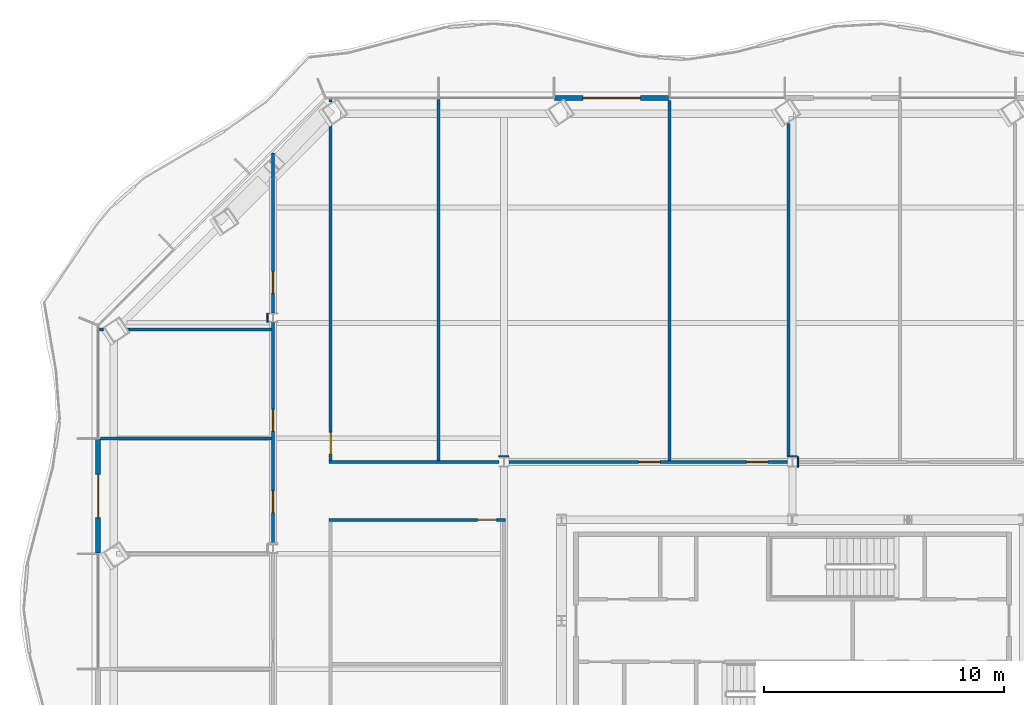
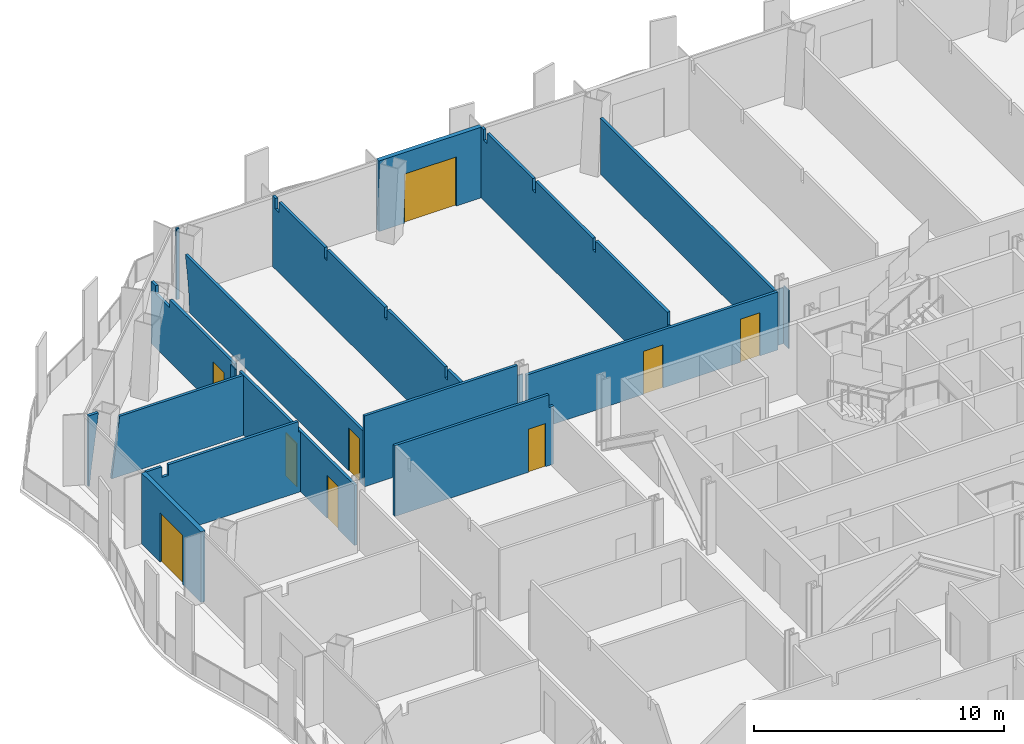
# One storey, part 12 of 22: 19 walls, 9 doors, 9 openings.
"""IFC4 building model written with IfcOpenShell, lengths in metres."""

import ifcopenshell
import ifcopenshell.guid

model = None  # the IFC model being written
_history = None  # IfcOwnerHistory: only IFC2X3 demands one
_inside = {}  # id of a spatial element -> (the spatial element, [elements in it])
_under = {}  # id of a project, library or spatial element -> (it, [spatial elements below it])
_declared = {}  # id of a project -> (the project, [libraries it declares])
_typed = {}  # id of a type object -> (the type object, [elements of that type])
_made_of = {}  # id of a material, layer set ... -> (it, [elements and type objects made of it])


def new_model(schema):
    """Start an empty IFC model of exactly this schema.

    Asked for "IFC4X3", IfcOpenShell would pick the latest addendum, in which some entities
    have other attributes; the version numbers below select the first issue.
    IFC2X3 requires an IfcOwnerHistory on every rooted entity: one is made here for all.
    """
    global model, _history
    if schema == "IFC4X3":
        model = ifcopenshell.file(schema_version=(4, 3, 0, 0))
    else:
        model = ifcopenshell.file(schema=schema)
    _inside.clear()
    _under.clear()
    _declared.clear()
    _typed.clear()
    _made_of.clear()
    _history = None
    if model.schema == "IFC2X3":
        org = make("IfcOrganization", Name="unknown")
        user = make(
            "IfcPersonAndOrganization",
            ThePerson=make("IfcPerson", FamilyName="unknown"),
            TheOrganization=org,
        )
        app = make(
            "IfcApplication",
            ApplicationDeveloper=org,
            Version="unknown",
            ApplicationFullName="unknown",
            ApplicationIdentifier="unknown",
        )
        _history = make(
            "IfcOwnerHistory",
            OwningUser=user,
            OwningApplication=app,
            ChangeAction="ADDED",
            CreationDate=0,
        )
    return model


def make(cls, **values):
    """One entity of the class cls with the attributes given. An attribute that is None is left unset."""
    return model.create_entity(
        cls, **{name: value for name, value in values.items() if value is not None}
    )


def rooted(cls, **values):
    """An entity with a GlobalId (a new one), such as an element, a storey or a relation."""
    return make(cls, GlobalId=ifcopenshell.guid.new(), OwnerHistory=_history, **values)


def si_unit(unit_type, name, prefix=None):
    """IfcSIUnit, for example si_unit("LENGTHUNIT", "METRE", prefix="MILLI")."""
    return make("IfcSIUnit", UnitType=unit_type, Prefix=prefix, Name=name)


def assignment(units):
    """IfcUnitAssignment: the units of a project."""
    return None if units is None else make("IfcUnitAssignment", Units=units)


def point(xyz):
    """IfcCartesianPoint."""
    return None if xyz is None else make("IfcCartesianPoint", Coordinates=xyz)


def direction(xyz):
    """IfcDirection."""
    return None if xyz is None else make("IfcDirection", DirectionRatios=xyz)


def frame(location, z_axis=None, x_axis=None):
    """IfcAxis2Placement3D, a coordinate frame: its origin and axes. An axis left out is left unset."""
    return make(
        "IfcAxis2Placement3D",
        Location=point(location),
        Axis=direction(z_axis),
        RefDirection=direction(x_axis),
    )


def frame_2d(location, x_axis=None):
    """IfcAxis2Placement2D, a coordinate frame in the plane: its origin and x axis."""
    return make(
        "IfcAxis2Placement2D", Location=point(location), RefDirection=direction(x_axis)
    )


def origin():
    """The frame at (0, 0, 0) with its axes left unset."""
    return frame((0.0, 0.0, 0.0))


def place(relative_to, where):
    """IfcLocalPlacement: puts the frame where relative to a parent placement (None: the world)."""
    return make(
        "IfcLocalPlacement", PlacementRelTo=relative_to, RelativePlacement=where
    )


def context(
    kind, dimensions, precision=None, world=None, true_north=None, identifier=None
):
    """IfcGeometricRepresentationContext, for example the 3D "Model" context."""
    return make(
        "IfcGeometricRepresentationContext",
        ContextIdentifier=identifier,
        ContextType=kind,
        CoordinateSpaceDimension=dimensions,
        Precision=precision,
        WorldCoordinateSystem=world,
        TrueNorth=true_north,
    )


def subcontext(parent, identifier, kind, view, scale=None):
    """IfcGeometricRepresentationSubContext, for example "Body" below "Model"."""
    return make(
        "IfcGeometricRepresentationSubContext",
        ContextIdentifier=identifier,
        ContextType=kind,
        ParentContext=parent,
        TargetScale=scale,
        TargetView=view,
    )


def project(units=None, contexts=None):
    """IfcProject with its units and contexts."""
    return rooted(
        "IfcProject",
        Name="project",
        RepresentationContexts=contexts,
        UnitsInContext=assignment(units),
    )


def spatial(cls, under=None, at=None, **own):
    """A site, building, storey or space (cls), placed at a placement, below another one or the project."""
    s = rooted(cls, ObjectPlacement=at, **own)
    if under is not None:
        _under.setdefault(under.id(), (under, []))[1].append(s)
    return s


def polyline(points):
    """IfcPolyline through the points."""
    return make("IfcPolyline", Points=[point(p) for p in points])


def profile(cls, at=None, kind="AREA", **sizes):
    """A parametric profile (cls). Its sizes go by their IFC names, for example OverallWidth=200.0."""
    return make(cls, ProfileType=kind, Position=at, **sizes)


def rectangle(**sizes):
    """IfcRectangleProfileDef."""
    return profile("IfcRectangleProfileDef", **sizes)


def outline(outer, holes=None, kind="AREA"):
    """IfcArbitraryClosedProfileDef: a profile drawn as a closed curve; with holes, ...WithVoids."""
    if holes is None:
        return make("IfcArbitraryClosedProfileDef", ProfileType=kind, OuterCurve=outer)
    return make(
        "IfcArbitraryProfileDefWithVoids",
        ProfileType=kind,
        OuterCurve=outer,
        InnerCurves=holes,
    )


def extrude(swept, where, along, depth):
    """IfcExtrudedAreaSolid: the profile swept, set in the frame where, extruded along a direction by depth."""
    return make(
        "IfcExtrudedAreaSolid",
        SweptArea=swept,
        Position=where,
        ExtrudedDirection=direction(along),
        Depth=depth,
    )


def shape(context_of_items, identifier, shape_type, items):
    """IfcShapeRepresentation: the items that make up one representation, for example the "Body"."""
    return make(
        "IfcShapeRepresentation",
        ContextOfItems=context_of_items,
        RepresentationIdentifier=identifier,
        RepresentationType=shape_type,
        Items=items,
    )


def material(Name=None, Category=None):
    """IfcMaterial."""
    return make("IfcMaterial", Name=Name, Category=Category)


def layer(
    of_material, thickness, ventilated=None, Name=None, Category=None, Priority=None
):
    """IfcMaterialLayer: one layer of a wall or slab, of a material (None: an air gap)."""
    return make(
        "IfcMaterialLayer",
        Material=of_material,
        LayerThickness=thickness,
        IsVentilated=ventilated,
        Name=Name,
        Category=Category,
        Priority=Priority,
    )


def layer_set(layers, Name=None):
    """IfcMaterialLayerSet."""
    return make("IfcMaterialLayerSet", MaterialLayers=layers, LayerSetName=Name)


def made_of(thing, what):
    """Note that an element or type object is made of a material, layer set ...; save() writes the relation."""
    if what is not None:
        _made_of.setdefault(what.id(), (what, []))[1].append(thing)
    return thing


def type_object(cls, material=None, **own):
    """A type object (cls), such as IfcWallType, which elements share."""
    return made_of(rooted(cls, **own), material)


def element(
    cls,
    number,
    at=None,
    inside=None,
    cuts=None,
    type_object=None,
    material=None,
    context=None,
    identifier="Body",
    shape_type=None,
    held_by="IfcProductDefinitionShape",
    body=None,
    shapes=None,
    **own,
):
    """One element of the class cls, such as IfcWall. Its Tag is "e" and its number.

    at: its placement. inside: the storey or other place that contains it. cuts: it is an
    opening in that element (IfcRelVoidsElement). A single representation is given by context,
    identifier, shape_type and body (its items); several are given by shapes. held_by: the class
    of the entity that holds the representations. save() writes the other relations.
    """
    e = rooted(cls, Tag="e%d" % number, ObjectPlacement=at, **own)
    if body is not None:
        shapes = [shape(context, identifier, shape_type, body)]
    if shapes is not None:
        e.Representation = make(held_by, Representations=shapes)
    if inside is not None:
        _inside.setdefault(inside.id(), (inside, []))[1].append(e)
    if cuts is not None:
        rooted(
            "IfcRelVoidsElement", RelatingBuildingElement=cuts, RelatedOpeningElement=e
        )
    if type_object is not None:
        _typed.setdefault(type_object.id(), (type_object, []))[1].append(e)
    return made_of(e, material)


def fill(opening, filler):
    """IfcRelFillsElement: the door or window that sits in an opening."""
    return rooted(
        "IfcRelFillsElement",
        RelatingOpeningElement=opening,
        RelatedBuildingElement=filler,
    )


def aggregate(whole, parts):
    """IfcRelAggregates: a whole, such as a stair, and the parts it consists of."""
    return rooted("IfcRelAggregates", RelatingObject=whole, RelatedObjects=parts)


def save(model, path):
    """Write the relations noted so far, then the file.

    IfcRelAggregates (storeys below a building ...), IfcRelContainedInSpatialStructure (elements
    in a storey), IfcRelDefinesByType, IfcRelAssociatesMaterial and IfcRelDeclares: one each for
    every whole, place, type object, material and project.
    """
    for whole, parts in _under.values():
        aggregate(whole, parts)
    for where, things in _inside.values():
        rooted(
            "IfcRelContainedInSpatialStructure",
            RelatedElements=things,
            RelatingStructure=where,
        )
    for kind, things in _typed.values():
        rooted("IfcRelDefinesByType", RelatedObjects=things, RelatingType=kind)
    for what, things in _made_of.values():
        rooted("IfcRelAssociatesMaterial", RelatedObjects=things, RelatingMaterial=what)
    for by, libraries in _declared.values():
        rooted("IfcRelDeclares", RelatingContext=by, RelatedDefinitions=libraries)
    model.write(path)


model = new_model("IFC4")

# Units and contexts
model_context = context("Model", 3, precision=1e-05, world=origin(), true_north=direction((0.0, 1.0)))
body_context = subcontext(model_context, "Body", "Model", "MODEL_VIEW")
ifc_project = project(units=[si_unit("LENGTHUNIT", "METRE"), si_unit("AREAUNIT", "SQUARE_METRE"), si_unit("VOLUMEUNIT", "CUBIC_METRE"), si_unit("PLANEANGLEUNIT", "RADIAN"), si_unit("MASSUNIT", "GRAM", prefix="KILO")], contexts=[model_context])

# Site, building, storey
site_placement = place(None, origin())
site = spatial("IfcSite", under=ifc_project, at=site_placement, CompositionType="ELEMENT")
building_placement = place(site_placement, origin())
building = spatial("IfcBuilding", under=site, at=building_placement, Name="Cairn Pilgrim Tower", CompositionType="ELEMENT")
storey_placement = place(building_placement, frame((0.0, 0.0, 112.199951171875)))
storey = spatial("IfcBuildingStorey", under=building, at=storey_placement, Name="L27", CompositionType="ELEMENT", Elevation=112.199951171875)

# Wall, opening, door
ifc_material_1 = material(Name="Bronze anodised aluminium insulated sandwich panel with mineral wool fill", Category="aluminium")
ifc_layer_1 = layer(ifc_material_1, 0.199951171875)
ifc_layer_set_1 = layer_set([ifc_layer_1], Name="BRONZE INFILL FRAME WALL 200")
wall_type_1 = type_object("IfcWallType", Name="BRONZE INFILL FRAME WALL 200", PredefinedType="NOTDEFINED", material=ifc_layer_set_1)
wall_1_placement = place(storey_placement, frame((2.049560546875, 28.33642578125, 0.0), z_axis=(0.0, 0.0, 1.0), x_axis=(-1.0, 0.0, 0.0)))
wall_1 = element("IfcWall", 1, at=wall_1_placement, inside=storey, type_object=wall_type_1, Name="Bronze infill frame wall IW-N6", PredefinedType="NOTDEFINED", context=body_context, shape_type="SweptSolid", body=[
    extrude(rectangle(XDim=4.739990234375, YDim=0.199951171875, at=frame_2d((2.3701171875, 0.0))), origin(), (0.0, 0.0, 1.0), 3.449951171875),
])
opening_1_placement = place(wall_1_placement, frame((1.16943359375, 0.0, 0.0)))
opening_1 = element("IfcOpeningElement", 2, at=opening_1_placement, cuts=wall_1, Name="Opening 2718B", PredefinedType="OPENING", context=body_context, shape_type="SweptSolid", body=[
    extrude(rectangle(XDim=2.39990234375, YDim=2.39990234375, at=frame_2d((1.199951171875, 1.199951171875))), frame((0.0, 0.10986328125, 0.0), z_axis=(0.0, -1.0, 0.0), x_axis=(1.0, 0.0, 0.0)), (0.0, 0.0, 1.0), 0.219970703125),
])
ifc_material_2 = material(Name="Bronze anodised aluminium frame with tinted low-E glass", Category="aluminium")
door_type_1 = type_object("IfcDoorType", Name="BALCONY SLIDING DOOR 2400x2400", OperationType="DOUBLE_DOOR_SLIDING", PredefinedType="DOOR", material=ifc_material_2)
door_1_placement = place(opening_1_placement, origin())
door_1 = element("IfcDoor", 3, at=door_1_placement, inside=storey, type_object=door_type_1, Name="Balcony sliding door 2718B", OperationType="SINGLE_SWING_LEFT", OverallHeight=2.39990234375, OverallWidth=2.39990234375, PredefinedType="DOOR", context=body_context, shape_type="SweptSolid", body=[
    extrude(rectangle(XDim=2.39990234375, YDim=2.39990234375, at=frame_2d((1.199951171875, 1.199951171875))), frame((0.0, 0.02490234375, 0.0), z_axis=(0.0, -1.0, 0.0), x_axis=(1.0, 0.0, 0.0)), (0.0, 0.0, 1.0), 0.050048828125),
])
fill(opening_1, door_1)

wall_2_placement = place(storey_placement, frame((-21.67041015625, 14.15625, 0.0), z_axis=(0.0, 0.0, 1.0), x_axis=(0.0, -1.0, 0.0)))
wall_2 = element("IfcWall", 4, at=wall_2_placement, inside=storey, type_object=wall_type_1, Name="Bronze infill frame wall IW-W2", PredefinedType="NOTDEFINED", context=body_context, shape_type="SweptSolid", body=[
    extrude(rectangle(XDim=4.739990234375, YDim=0.199951171875, at=frame_2d((2.3701171875, 0.0))), origin(), (0.0, 0.0, 1.0), 3.449951171875),
])
opening_2_placement = place(wall_2_placement, frame((1.470458984375, 0.0, 0.0)))
opening_2 = element("IfcOpeningElement", 5, at=opening_2_placement, cuts=wall_2, Name="Opening 2714B", PredefinedType="OPENING", context=body_context, shape_type="SweptSolid", body=[
    extrude(rectangle(XDim=1.800048828125, YDim=2.39990234375, at=frame_2d((0.89990234375, 1.199951171875))), frame((0.0, 0.10986328125, 0.0), z_axis=(0.0, -1.0, 0.0), x_axis=(1.0, 0.0, 0.0)), (0.0, 0.0, 1.0), 0.219970703125),
])
door_type_2 = type_object("IfcDoorType", Name="BALCONY SLIDING DOOR 1800x2400", OperationType="DOUBLE_DOOR_SLIDING", PredefinedType="DOOR", material=ifc_material_2)
door_2_placement = place(opening_2_placement, origin())
door_2 = element("IfcDoor", 6, at=door_2_placement, inside=storey, type_object=door_type_2, Name="Balcony sliding door 2714B", OperationType="SINGLE_SWING_LEFT", OverallHeight=2.39990234375, OverallWidth=1.800048828125, PredefinedType="DOOR", context=body_context, shape_type="SweptSolid", body=[
    extrude(rectangle(XDim=1.800048828125, YDim=2.39990234375, at=frame_2d((0.89990234375, 1.199951171875))), frame((0.0, 0.02490234375, 0.0), z_axis=(0.0, -1.0, 0.0), x_axis=(1.0, 0.0, 0.0)), (0.0, 0.0, 1.0), 0.050048828125),
])
fill(opening_2, door_2)

# Wall, openings, doors
ifc_material_3 = material(Name="Gypsum partition")
ifc_layer_2 = layer(ifc_material_3, 0.125)
ifc_layer_set_2 = layer_set([ifc_layer_2], Name="PARTITION 125 DRYWALL EI 60")
wall_type_2 = type_object("IfcWallType", Name="PARTITION 125 DRYWALL EI 60", PredefinedType="PARTITIONING", material=ifc_layer_set_2)
wall_3_placement = place(storey_placement, frame((-14.39990234375, 9.79638671875, 0.0), z_axis=(0.0, 0.0, 1.0), x_axis=(0.0, 1.0, 0.0)))
wall_3 = element("IfcWall", 7, at=wall_3_placement, inside=storey, type_object=wall_type_2, Name="PARTITION W057", PredefinedType="PARTITIONING", context=body_context, shape_type="SweptSolid", body=[
    extrude(rectangle(XDim=9.20703125, YDim=0.125, at=frame_2d((4.603515625, 0.0))), origin(), (0.0, 0.0, 1.0), 2.929931640625),
])
opening_3_placement = place(wall_3_placement, frame((1.303466796875, 0.0, 0.0)))
opening_3 = element("IfcOpeningElement", 8, at=opening_3_placement, cuts=wall_3, Name="Opening 2714", PredefinedType="OPENING", context=body_context, shape_type="SweptSolid", body=[
    extrude(rectangle(XDim=0.89990234375, YDim=2.10009765625, at=frame_2d((0.449951171875, 1.050048828125))), frame((0.0, 0.072509765625, 0.0), z_axis=(0.0, -1.0, 0.0), x_axis=(1.0, 0.0, 0.0)), (0.0, 0.0, 1.0), 0.14501953125),
])
opening_4_placement = place(wall_3_placement, frame((4.689453125, 0.0, 0.0)))
opening_4 = element("IfcOpeningElement", 9, at=opening_4_placement, cuts=wall_3, Name="Opening 2715", PredefinedType="OPENING", context=body_context, shape_type="SweptSolid", body=[
    extrude(rectangle(XDim=0.89990234375, YDim=2.10009765625, at=frame_2d((0.449951171875, 1.050048828125))), frame((0.0, 0.072509765625, 0.0), z_axis=(0.0, -1.0, 0.0), x_axis=(1.0, 0.0, 0.0)), (0.0, 0.0, 1.0), 0.14501953125),
])
ifc_material_4 = material(Name="Steel-faced fire door leaf", Category="steel")
door_type_3 = type_object("IfcDoorType", Name="FIRE DOOR 900x2100 FD30S", OperationType="NOTDEFINED", PredefinedType="DOOR", material=ifc_material_4)
door_3_placement = place(opening_3_placement, origin())
door_3 = element("IfcDoor", 10, at=door_3_placement, inside=storey, type_object=door_type_3, Name="DOOR 2714", OperationType="SINGLE_SWING_LEFT", OverallHeight=2.10009765625, OverallWidth=0.89990234375, PredefinedType="DOOR", context=body_context, shape_type="SweptSolid", body=[
    extrude(rectangle(XDim=0.89990234375, YDim=2.10009765625, at=frame_2d((0.449951171875, 1.050048828125))), frame((0.0, 0.02490234375, 0.0), z_axis=(0.0, -1.0, 0.0), x_axis=(1.0, 0.0, 0.0)), (0.0, 0.0, 1.0), 0.050048828125),
])
fill(opening_3, door_3)
door_4_placement = place(opening_4_placement, origin())
door_4 = element("IfcDoor", 11, at=door_4_placement, inside=storey, type_object=door_type_3, Name="DOOR 2715", OperationType="SINGLE_SWING_RIGHT", OverallHeight=2.10009765625, OverallWidth=0.89990234375, PredefinedType="DOOR", context=body_context, shape_type="SweptSolid", body=[
    extrude(rectangle(XDim=0.89990234375, YDim=2.10009765625, at=frame_2d((0.449951171875, 1.050048828125))), frame((0.0, 0.02490234375, 0.0), z_axis=(0.0, -1.0, 0.0), x_axis=(1.0, 0.0, 0.0)), (0.0, 0.0, 1.0), 0.050048828125),
])
fill(opening_4, door_4)

# Wall, opening, door
wall_4_placement = place(storey_placement, frame((-12.0625, 10.800048828125, 0.0), z_axis=(0.0, 0.0, 1.0), x_axis=(1.0, 0.0, 0.0)))
wall_4 = element("IfcWall", 12, at=wall_4_placement, inside=storey, type_object=wall_type_2, Name="PARTITION W058", PredefinedType="PARTITIONING", context=body_context, shape_type="SweptSolid", body=[
    extrude(outline(polyline([(0.0, 0.0), (7.324951171875, 0.0), (7.324951171875, 2.830078125), (7.112548828125, 2.830078125), (7.110595703125, 3.449951171875), (0.0, 3.449951171875), (0.0, 0.0)])), frame((0.0, 0.0625, 0.0), z_axis=(0.0, -1.0, 0.0), x_axis=(1.0, 0.0, 0.0)), (0.0, 0.0, 1.0), 0.125),
])
opening_5_placement = place(wall_4_placement, frame((6.16259765625, 0.0, 0.0)))
opening_5 = element("IfcOpeningElement", 13, at=opening_5_placement, cuts=wall_4, Name="Opening 2733", PredefinedType="OPENING", context=body_context, shape_type="SweptSolid", body=[
    extrude(rectangle(XDim=0.800048828125, YDim=2.10009765625, at=frame_2d((0.39990234375, 1.050048828125))), frame((0.0, 0.072509765625, 0.0), z_axis=(0.0, -1.0, 0.0), x_axis=(1.0, 0.0, 0.0)), (0.0, 0.0, 1.0), 0.14501953125),
])
door_type_4 = type_object("IfcDoorType", Name="FIRE DOOR 800x2100 FD30S", OperationType="NOTDEFINED", PredefinedType="DOOR", material=ifc_material_4)
door_5_placement = place(opening_5_placement, frame((0.800048828125, 0.0, 0.0), z_axis=(0.0, 0.0, 1.0), x_axis=(-1.0, 0.0, 0.0)))
door_5 = element("IfcDoor", 14, at=door_5_placement, inside=storey, type_object=door_type_4, Name="DOOR 2733", OperationType="SINGLE_SWING_RIGHT", OverallHeight=2.10009765625, OverallWidth=0.800048828125, PredefinedType="DOOR", context=body_context, shape_type="SweptSolid", body=[
    extrude(rectangle(XDim=0.800048828125, YDim=2.10009765625, at=frame_2d((0.39990234375, 1.050048828125))), frame((0.0, 0.02490234375, 0.0), z_axis=(0.0, -1.0, 0.0), x_axis=(1.0, 0.0, 0.0)), (0.0, 0.0, 1.0), 0.050048828125),
])
fill(opening_5, door_5)

# Wall
wall_5_placement = place(storey_placement, frame((-12.0625, 13.199951171875, 0.0), z_axis=(0.0, 0.0, 1.0), x_axis=(1.0, 0.0, 0.0)))
element("IfcWall", 15, at=wall_5_placement, inside=storey, type_object=wall_type_2, Name="PARTITION W059", PredefinedType="PARTITIONING", context=body_context, shape_type="SweptSolid", body=[
    extrude(rectangle(XDim=7.05810546875, YDim=0.125, at=frame_2d((3.529052734375, 0.0))), origin(), (0.0, 0.0, 1.0), 3.449951171875),
])

# Wall, openings, doors
wall_6_placement = place(storey_placement, frame((-4.595458984375, 13.199951171875, 0.0), z_axis=(0.0, 0.0, 1.0), x_axis=(1.0, 0.0, 0.0)))
wall_6 = element("IfcWall", 16, at=wall_6_placement, inside=storey, type_object=wall_type_2, Name="PARTITION W060", PredefinedType="PARTITIONING", context=body_context, shape_type="SweptSolid", body=[
    extrude(rectangle(XDim=11.591064453125, YDim=0.125, at=frame_2d((5.79541015625, 0.0))), origin(), (0.0, 0.0, 1.0), 2.830078125),
])
opening_6_placement = place(wall_6_placement, frame((5.3955078125, 0.0, 0.0)))
opening_6 = element("IfcOpeningElement", 17, at=opening_6_placement, cuts=wall_6, Name="Opening 2718", PredefinedType="OPENING", context=body_context, shape_type="SweptSolid", body=[
    extrude(rectangle(XDim=0.89990234375, YDim=2.10009765625, at=frame_2d((0.449951171875, 1.050048828125))), frame((0.0, 0.072509765625, 0.0), z_axis=(0.0, -1.0, 0.0), x_axis=(1.0, 0.0, 0.0)), (0.0, 0.0, 1.0), 0.14501953125),
])
opening_7_placement = place(wall_6_placement, frame((9.87548828125, 0.0, 0.0)))
opening_7 = element("IfcOpeningElement", 18, at=opening_7_placement, cuts=wall_6, Name="Opening 2719", PredefinedType="OPENING", context=body_context, shape_type="SweptSolid", body=[
    extrude(rectangle(XDim=0.89990234375, YDim=2.10009765625, at=frame_2d((0.449951171875, 1.050048828125))), frame((0.0, 0.072509765625, 0.0), z_axis=(0.0, -1.0, 0.0), x_axis=(1.0, 0.0, 0.0)), (0.0, 0.0, 1.0), 0.14501953125),
])
door_6_placement = place(opening_6_placement, origin())
door_6 = element("IfcDoor", 19, at=door_6_placement, inside=storey, type_object=door_type_3, Name="DOOR 2718", OperationType="SINGLE_SWING_LEFT", OverallHeight=2.10009765625, OverallWidth=0.89990234375, PredefinedType="DOOR", context=body_context, shape_type="SweptSolid", body=[
    extrude(rectangle(XDim=0.89990234375, YDim=2.10009765625, at=frame_2d((0.449951171875, 1.050048828125))), frame((0.0, 0.02490234375, 0.0), z_axis=(0.0, -1.0, 0.0), x_axis=(1.0, 0.0, 0.0)), (0.0, 0.0, 1.0), 0.050048828125),
])
fill(opening_6, door_6)
door_7_placement = place(opening_7_placement, origin())
door_7 = element("IfcDoor", 20, at=door_7_placement, inside=storey, type_object=door_type_3, Name="DOOR 2719", OperationType="SINGLE_SWING_RIGHT", OverallHeight=2.10009765625, OverallWidth=0.89990234375, PredefinedType="DOOR", context=body_context, shape_type="SweptSolid", body=[
    extrude(rectangle(XDim=0.89990234375, YDim=2.10009765625, at=frame_2d((0.449951171875, 1.050048828125))), frame((0.0, 0.02490234375, 0.0), z_axis=(0.0, -1.0, 0.0), x_axis=(1.0, 0.0, 0.0)), (0.0, 0.0, 1.0), 0.050048828125),
])
fill(opening_7, door_7)

# Wall, opening, door
wall_7_placement = place(storey_placement, frame((-12.0, 13.262451171875, 0.0), z_axis=(0.0, 0.0, 1.0), x_axis=(0.0, 1.0, 0.0)))
wall_7 = element("IfcWall", 21, at=wall_7_placement, inside=storey, type_object=wall_type_2, Name="PARTITION W065", PredefinedType="PARTITIONING", context=body_context, shape_type="SweptSolid", body=[
    extrude(outline(polyline([(0.0, 0.0), (13.876708984375, 0.0), (13.927978515625, 0.862548828125), (14.044921875, 1.72509765625), (14.211181640625, 2.587646484375), (14.219482421875, 2.630126953125), (0.0, 2.630126953125), (0.0, 2.587646484375), (0.0, 1.72509765625), (0.0, 0.862548828125), (0.0, 0.0)])), frame((0.0, 0.0625, 0.0), z_axis=(0.0, -1.0, 0.0), x_axis=(1.0, 0.0, 0.0)), (0.0, 0.0, 1.0), 0.125),
])
opening_8_placement = place(wall_7_placement, frame((0.2734375, 0.0, 0.0)))
opening_8 = element("IfcOpeningElement", 22, at=opening_8_placement, cuts=wall_7, Name="Opening 2717", PredefinedType="OPENING", context=body_context, shape_type="SweptSolid", body=[
    extrude(rectangle(XDim=0.89990234375, YDim=2.10009765625, at=frame_2d((0.449951171875, 1.050048828125))), frame((0.0, 0.072509765625, 0.0), z_axis=(0.0, -1.0, 0.0), x_axis=(1.0, 0.0, 0.0)), (0.0, 0.0, 1.0), 0.14501953125),
])
door_8_placement = place(opening_8_placement, frame((0.89990234375, 0.0, 0.0), z_axis=(0.0, 0.0, 1.0), x_axis=(-1.0, 0.0, 0.0)))
door_8 = element("IfcDoor", 23, at=door_8_placement, inside=storey, type_object=door_type_3, Name="DOOR 2717", OperationType="SINGLE_SWING_RIGHT", OverallHeight=2.10009765625, OverallWidth=0.89990234375, PredefinedType="DOOR", context=body_context, shape_type="SweptSolid", body=[
    extrude(rectangle(XDim=0.89990234375, YDim=2.10009765625, at=frame_2d((0.449951171875, 1.050048828125))), frame((0.0, 0.02490234375, 0.0), z_axis=(0.0, -1.0, 0.0), x_axis=(1.0, 0.0, 0.0)), (0.0, 0.0, 1.0), 0.050048828125),
])
fill(opening_8, door_8)

# Walls
wall_8_placement = place(storey_placement, frame((-7.52001953125, 13.262451171875, 0.0), z_axis=(0.0, 0.0, 1.0), x_axis=(0.0, 1.0, 0.0)))
element("IfcWall", 24, at=wall_8_placement, inside=storey, type_object=wall_type_2, Name="PARTITION W066", PredefinedType="PARTITIONING", context=body_context, shape_type="SweptSolid", body=[
    extrude(outline(polyline([(0.0, 0.0), (15.013916015625, 0.0), (15.013916015625, 3.449951171875), (14.78759765625, 3.449951171875), (14.785400390625, 2.929931640625), (14.487548828125, 2.929931640625), (14.485595703125, 3.449951171875), (10.83740234375, 3.449951171875), (10.83544921875, 2.929931640625), (10.637451171875, 2.929931640625), (10.635498046875, 3.449951171875), (6.03759765625, 3.449951171875), (6.035400390625, 2.929931640625), (5.83740234375, 2.929931640625), (5.83544921875, 3.449951171875), (1.237548828125, 3.449951171875), (1.235595703125, 2.929931640625), (1.03759765625, 2.929931640625), (1.035400390625, 3.449951171875), (0.0, 3.449951171875), (0.0, 0.0)])), frame((0.0, 0.0625, 0.0), z_axis=(0.0, -1.0, 0.0), x_axis=(1.0, 0.0, 0.0)), (0.0, 0.0, 1.0), 0.125),
])
wall_9_placement = place(storey_placement, frame((2.080078125, 13.262451171875, 0.0), z_axis=(0.0, 0.0, 1.0), x_axis=(0.0, 1.0, 0.0)))
element("IfcWall", 25, at=wall_9_placement, inside=storey, type_object=wall_type_2, Name="PARTITION W067", PredefinedType="PARTITIONING", context=body_context, shape_type="SweptSolid", body=[
    extrude(outline(polyline([(0.0, 0.0), (14.973876953125, 0.0), (14.973876953125, 3.449951171875), (14.78759765625, 3.449951171875), (14.785400390625, 2.929931640625), (14.487548828125, 2.929931640625), (14.485595703125, 3.449951171875), (10.842529296875, 3.449951171875), (10.840576171875, 2.880126953125), (10.632568359375, 2.880126953125), (10.630615234375, 3.449951171875), (6.04248046875, 3.449951171875), (6.04052734375, 2.880126953125), (5.83251953125, 2.880126953125), (5.83056640625, 3.449951171875), (0.08740234375, 3.449951171875), (0.08544921875, 2.830078125), (0.0, 2.830078125), (0.0, 0.0)])), frame((0.0, 0.0625, 0.0), z_axis=(0.0, -1.0, 0.0), x_axis=(1.0, 0.0, 0.0)), (0.0, 0.0, 1.0), 0.125),
])
wall_10_placement = place(storey_placement, frame((7.0400390625, 13.41259765625, 0.0), z_axis=(0.0, 0.0, 1.0), x_axis=(0.0, 1.0, 0.0)))
element("IfcWall", 26, at=wall_10_placement, inside=storey, type_object=wall_type_2, Name="PARTITION W071", PredefinedType="PARTITIONING", context=body_context, shape_type="SweptSolid", body=[
    extrude(outline(polyline([(0.0, 0.0), (13.8583984375, 0.0), (13.8583984375, 0.862548828125), (13.8583984375, 1.72509765625), (13.88037109375, 2.587646484375), (13.888916015625, 2.72998046875), (0.0, 2.72998046875), (0.0, 2.587646484375), (0.0, 1.72509765625), (0.0, 0.862548828125), (0.0, 0.0)])), frame((0.0, 0.0625, 0.0), z_axis=(0.0, -1.0, 0.0), x_axis=(1.0, 0.0, 0.0)), (0.0, 0.0, 1.0), 0.125),
])
wall_11_placement = place(storey_placement, frame((-21.570556640625, 14.18603515625, 0.0), z_axis=(0.0, 0.0, 1.0), x_axis=(1.0, 0.0, 0.0)))
element("IfcWall", 27, at=wall_11_placement, inside=storey, type_object=wall_type_2, Name="PARTITION W072", PredefinedType="PARTITIONING", context=body_context, shape_type="SweptSolid", body=[
    extrude(outline(polyline([(0.0, 0.0), (7.108154296875, 0.0), (7.10791015625, 2.929931640625), (7.0205078125, 2.929931640625), (7.0185546875, 3.449951171875), (1.0205078125, 3.449951171875), (1.0185546875, 2.929931640625), (0.720458984375, 2.929931640625), (0.718505859375, 3.449951171875), (0.0, 3.449951171875), (0.0, 0.0)])), frame((0.0, 0.0625, 0.0), z_axis=(0.0, -1.0, 0.0), x_axis=(1.0, 0.0, 0.0)), (0.0, 0.0, 1.0), 0.125),
])
wall_12_placement = place(storey_placement, frame((-21.62353515625, 18.719970703125, 0.0), z_axis=(0.0, 0.0, 1.0), x_axis=(1.0, 0.0, 0.0)))
element("IfcWall", 28, at=wall_12_placement, inside=storey, type_object=wall_type_2, Name="PARTITION W073", PredefinedType="PARTITIONING", context=body_context, shape_type="SweptSolid", body=[
    extrude(outline(polyline([(0.0, 0.0), (0.059814453125, 0.0), (0.136962890625, 0.862548828125), (0.248046875, 1.72509765625), (0.35888671875, 2.587646484375), (0.4697265625, 3.449951171875), (0.0, 3.449951171875), (0.0, 2.587646484375), (0.0, 1.72509765625), (0.0, 0.862548828125), (0.0, 0.0)])), frame((0.0, 0.0625, 0.0), z_axis=(0.0, -1.0, 0.0), x_axis=(1.0, 0.0, 0.0)), (0.0, 0.0, 1.0), 0.125),
])
wall_13_placement = place(storey_placement, frame((-20.547119140625, 18.719970703125, 0.0), z_axis=(0.0, 0.0, 1.0), x_axis=(1.0, 0.0, 0.0)))
element("IfcWall", 29, at=wall_13_placement, inside=storey, type_object=wall_type_2, Name="PARTITION W074", PredefinedType="PARTITIONING", context=body_context, shape_type="SweptSolid", body=[
    extrude(outline(polyline([(0.0, 0.0), (6.08447265625, 0.0), (6.08447265625, 0.862548828125), (6.08447265625, 1.72509765625), (6.08447265625, 2.587646484375), (6.08447265625, 2.929931640625), (0.357421875, 2.929931640625), (0.326904296875, 2.587646484375), (0.2216796875, 1.72509765625), (0.11083984375, 0.862548828125), (0.0, 0.0)])), frame((0.0, 0.0625, 0.0), z_axis=(0.0, -1.0, 0.0), x_axis=(1.0, 0.0, 0.0)), (0.0, 0.0, 1.0), 0.125),
])

# Wall, opening, door
wall_14_placement = place(storey_placement, frame((-14.39990234375, 19.396484375, 0.0), z_axis=(0.0, 0.0, 1.0), x_axis=(0.0, 1.0, 0.0)))
wall_14 = element("IfcWall", 30, at=wall_14_placement, inside=storey, type_object=wall_type_2, Name="PARTITION W075", PredefinedType="PARTITIONING", context=body_context, shape_type="SweptSolid", body=[
    extrude(outline(polyline([(0.0, 0.0), (6.64892578125, 0.0), (6.64892578125, 3.030029296875), (6.2880859375, 3.030029296875), (6.2861328125, 2.630126953125), (5.173095703125, 2.630126953125), (5.171142578125, 3.030029296875), (0.0, 3.030029296875), (0.0, 0.0)])), frame((0.0, 0.0625, 0.0), z_axis=(0.0, -1.0, 0.0), x_axis=(1.0, 0.0, 0.0)), (0.0, 0.0, 1.0), 0.125),
])
opening_9_placement = place(wall_14_placement, frame((0.823486328125, 0.0, 0.0)))
opening_9 = element("IfcOpeningElement", 31, at=opening_9_placement, cuts=wall_14, Name="Opening 2716", PredefinedType="OPENING", context=body_context, shape_type="SweptSolid", body=[
    extrude(rectangle(XDim=0.89990234375, YDim=2.10009765625, at=frame_2d((0.449951171875, 1.050048828125))), frame((0.0, 0.072509765625, 0.0), z_axis=(0.0, -1.0, 0.0), x_axis=(1.0, 0.0, 0.0)), (0.0, 0.0, 1.0), 0.14501953125),
])
door_9_placement = place(opening_9_placement, origin())
door_9 = element("IfcDoor", 32, at=door_9_placement, inside=storey, type_object=door_type_3, Name="DOOR 2716", OperationType="SINGLE_SWING_LEFT", OverallHeight=2.10009765625, OverallWidth=0.89990234375, PredefinedType="DOOR", context=body_context, shape_type="SweptSolid", body=[
    extrude(rectangle(XDim=0.89990234375, YDim=2.10009765625, at=frame_2d((0.449951171875, 1.050048828125))), frame((0.0, 0.02490234375, 0.0), z_axis=(0.0, -1.0, 0.0), x_axis=(1.0, 0.0, 0.0)), (0.0, 0.0, 1.0), 0.050048828125),
])
fill(opening_9, door_9)

# Walls
wall_15_placement = place(storey_placement, frame((-12.0, 28.173828125, 0.0), z_axis=(0.0, 0.0, 1.0), x_axis=(0.0, 1.0, 0.0)))
element("IfcWall", 33, at=wall_15_placement, inside=storey, type_object=wall_type_2, Name="PARTITION W076", PredefinedType="PARTITIONING", context=body_context, shape_type="SweptSolid", body=[
    extrude(outline(polyline([(0.0, 0.0), (0.102294921875, 0.0), (0.102294921875, 0.862548828125), (0.102294921875, 1.72509765625), (0.102294921875, 2.587646484375), (0.102294921875, 3.449951171875), (0.0, 3.449951171875), (0.0, 2.587646484375), (0.0, 1.72509765625), (0.0, 0.862548828125), (0.0, 0.0)])), frame((0.0, 0.0625, 0.0), z_axis=(0.0, -1.0, 0.0), x_axis=(1.0, 0.0, 0.0)), (0.0, 0.0, 1.0), 0.125),
])
ifc_layer_3 = layer(ifc_material_3, 0.050048828125)
ifc_layer_set_3 = layer_set([ifc_layer_3], Name="PARTITION 50 DRYWALL EI 60")
wall_type_3 = type_object("IfcWallType", Name="PARTITION 50 DRYWALL EI 60", PredefinedType="PARTITIONING", material=ifc_layer_set_3)
wall_16_placement = place(storey_placement, frame((-14.62451171875, 19.00341796875, 0.0), z_axis=(0.0, 0.0, 1.0), x_axis=(0.0, 1.0, 0.0)))
element("IfcWall", 34, at=wall_16_placement, inside=storey, type_object=wall_type_3, Name="COLUMN CASING WC04", PredefinedType="PARTITIONING", context=body_context, shape_type="SweptSolid", body=[
    extrude(rectangle(XDim=0.39306640625, YDim=0.050048828125, at=frame_2d((0.196533203125, 0.0))), origin(), (0.0, 0.0, 1.0), 3.070068359375),
])
for number, where, z_axis, x_axis, name in (
    (35, (-5.00439453125, 13.4375, 0.0), (0.0, 0.0, 1.0), (1.0, 0.0, 0.0), "COLUMN CASING WC15"),
    (36, (6.99560546875, 13.4375, 0.0), (0.0, 0.0, 1.0), (1.0, 0.0, 0.0), "COLUMN CASING WC16"),
):
    element("IfcWall", number, at=place(storey_placement, frame(where, z_axis=z_axis, x_axis=x_axis)), inside=storey, type_object=wall_type_3, Name=name, PredefinedType="PARTITIONING", context=body_context, shape_type="SweptSolid", body=[
        extrude(rectangle(XDim=0.408935546875, YDim=0.050048828125, at=frame_2d((0.20458984375, 0.0))), origin(), (0.0, 0.0, 1.0), 2.72998046875),
    ])
wall_17_placement = place(storey_placement, frame((7.429443359375, 12.987548828125, 0.0), z_axis=(0.0, 0.0, 1.0), x_axis=(0.0, 1.0, 0.0)))
element("IfcWall", 37, at=wall_17_placement, inside=storey, type_object=wall_type_3, Name="COLUMN CASING WC18", PredefinedType="PARTITIONING", context=body_context, shape_type="SweptSolid", body=[
    extrude(rectangle(XDim=0.425048828125, YDim=0.050048828125, at=frame_2d((0.21240234375, 0.0))), origin(), (0.0, 0.0, 1.0), 2.830078125),
])

save(model, "model.ifc")
